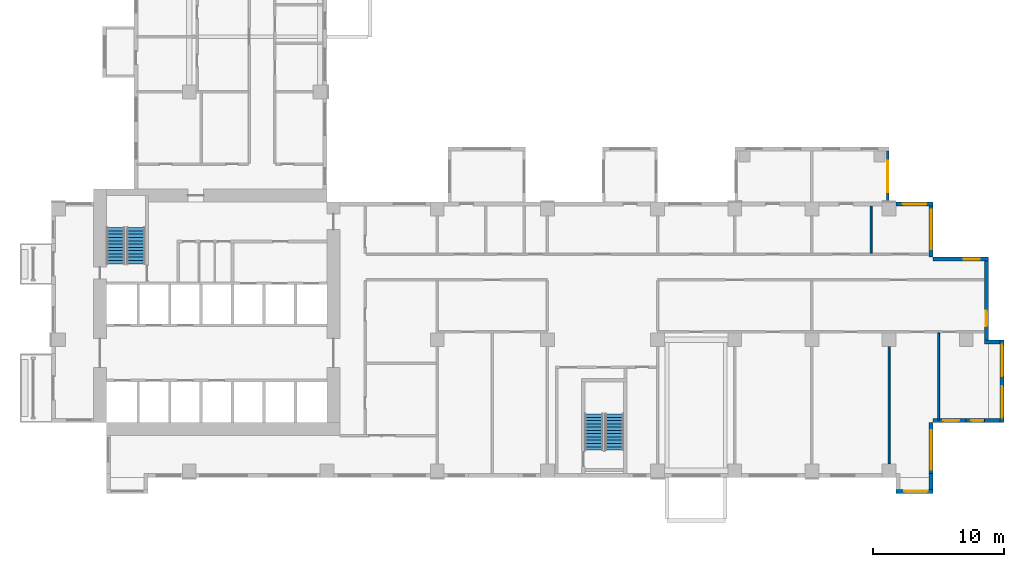
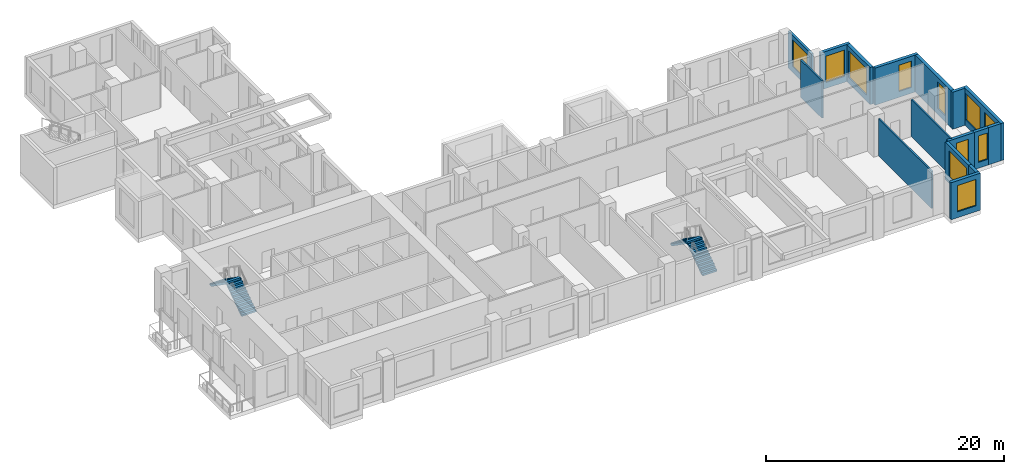
# One storey, part 8 of 14: 16 walls, 11 windows, 4 stair flights, 11 openings, 2 elements without a shape of their own.
"""IFC4 building model written with IfcOpenShell, lengths in metres."""

import ifcopenshell
import ifcopenshell.guid

model = None  # the IFC model being written
_history = None  # IfcOwnerHistory: only IFC2X3 demands one
_inside = {}  # id of a spatial element -> (the spatial element, [elements in it])
_under = {}  # id of a project, library or spatial element -> (it, [spatial elements below it])
_declared = {}  # id of a project -> (the project, [libraries it declares])
_typed = {}  # id of a type object -> (the type object, [elements of that type])
_made_of = {}  # id of a material, layer set ... -> (it, [elements and type objects made of it])


def new_model(schema):
    """Start an empty IFC model of exactly this schema.

    Asked for "IFC4X3", IfcOpenShell would pick the latest addendum, in which some entities
    have other attributes; the version numbers below select the first issue.
    IFC2X3 requires an IfcOwnerHistory on every rooted entity: one is made here for all.
    """
    global model, _history
    if schema == "IFC4X3":
        model = ifcopenshell.file(schema_version=(4, 3, 0, 0))
    else:
        model = ifcopenshell.file(schema=schema)
    _inside.clear()
    _under.clear()
    _declared.clear()
    _typed.clear()
    _made_of.clear()
    _history = None
    if model.schema == "IFC2X3":
        org = make("IfcOrganization", Name="unknown")
        user = make(
            "IfcPersonAndOrganization",
            ThePerson=make("IfcPerson", FamilyName="unknown"),
            TheOrganization=org,
        )
        app = make(
            "IfcApplication",
            ApplicationDeveloper=org,
            Version="unknown",
            ApplicationFullName="unknown",
            ApplicationIdentifier="unknown",
        )
        _history = make(
            "IfcOwnerHistory",
            OwningUser=user,
            OwningApplication=app,
            ChangeAction="ADDED",
            CreationDate=0,
        )
    return model


def make(cls, **values):
    """One entity of the class cls with the attributes given. An attribute that is None is left unset."""
    return model.create_entity(
        cls, **{name: value for name, value in values.items() if value is not None}
    )


def rooted(cls, **values):
    """An entity with a GlobalId (a new one), such as an element, a storey or a relation."""
    return make(cls, GlobalId=ifcopenshell.guid.new(), OwnerHistory=_history, **values)


def si_unit(unit_type, name, prefix=None):
    """IfcSIUnit, for example si_unit("LENGTHUNIT", "METRE", prefix="MILLI")."""
    return make("IfcSIUnit", UnitType=unit_type, Prefix=prefix, Name=name)


def assignment(units):
    """IfcUnitAssignment: the units of a project."""
    return None if units is None else make("IfcUnitAssignment", Units=units)


def point(xyz):
    """IfcCartesianPoint."""
    return None if xyz is None else make("IfcCartesianPoint", Coordinates=xyz)


def direction(xyz):
    """IfcDirection."""
    return None if xyz is None else make("IfcDirection", DirectionRatios=xyz)


def frame(location, z_axis=None, x_axis=None):
    """IfcAxis2Placement3D, a coordinate frame: its origin and axes. An axis left out is left unset."""
    return make(
        "IfcAxis2Placement3D",
        Location=point(location),
        Axis=direction(z_axis),
        RefDirection=direction(x_axis),
    )


def frame_2d(location, x_axis=None):
    """IfcAxis2Placement2D, a coordinate frame in the plane: its origin and x axis."""
    return make(
        "IfcAxis2Placement2D", Location=point(location), RefDirection=direction(x_axis)
    )


def origin():
    """The frame at (0, 0, 0) with its axes left unset."""
    return frame((0.0, 0.0, 0.0))


def place(relative_to, where):
    """IfcLocalPlacement: puts the frame where relative to a parent placement (None: the world)."""
    return make(
        "IfcLocalPlacement", PlacementRelTo=relative_to, RelativePlacement=where
    )


def context(
    kind, dimensions, precision=None, world=None, true_north=None, identifier=None
):
    """IfcGeometricRepresentationContext, for example the 3D "Model" context."""
    return make(
        "IfcGeometricRepresentationContext",
        ContextIdentifier=identifier,
        ContextType=kind,
        CoordinateSpaceDimension=dimensions,
        Precision=precision,
        WorldCoordinateSystem=world,
        TrueNorth=true_north,
    )


def subcontext(parent, identifier, kind, view, scale=None):
    """IfcGeometricRepresentationSubContext, for example "Body" below "Model"."""
    return make(
        "IfcGeometricRepresentationSubContext",
        ContextIdentifier=identifier,
        ContextType=kind,
        ParentContext=parent,
        TargetScale=scale,
        TargetView=view,
    )


def project(units=None, contexts=None):
    """IfcProject with its units and contexts."""
    return rooted(
        "IfcProject",
        Name="project",
        RepresentationContexts=contexts,
        UnitsInContext=assignment(units),
    )


def spatial(cls, under=None, at=None, **own):
    """A site, building, storey or space (cls), placed at a placement, below another one or the project."""
    s = rooted(cls, ObjectPlacement=at, **own)
    if under is not None:
        _under.setdefault(under.id(), (under, []))[1].append(s)
    return s


def polyline(points):
    """IfcPolyline through the points."""
    return make("IfcPolyline", Points=[point(p) for p in points])


def profile(cls, at=None, kind="AREA", **sizes):
    """A parametric profile (cls). Its sizes go by their IFC names, for example OverallWidth=200.0."""
    return make(cls, ProfileType=kind, Position=at, **sizes)


def rectangle(**sizes):
    """IfcRectangleProfileDef."""
    return profile("IfcRectangleProfileDef", **sizes)


def outline(outer, holes=None, kind="AREA"):
    """IfcArbitraryClosedProfileDef: a profile drawn as a closed curve; with holes, ...WithVoids."""
    if holes is None:
        return make("IfcArbitraryClosedProfileDef", ProfileType=kind, OuterCurve=outer)
    return make(
        "IfcArbitraryProfileDefWithVoids",
        ProfileType=kind,
        OuterCurve=outer,
        InnerCurves=holes,
    )


def extrude(swept, where, along, depth):
    """IfcExtrudedAreaSolid: the profile swept, set in the frame where, extruded along a direction by depth."""
    return make(
        "IfcExtrudedAreaSolid",
        SweptArea=swept,
        Position=where,
        ExtrudedDirection=direction(along),
        Depth=depth,
    )


def shape(context_of_items, identifier, shape_type, items):
    """IfcShapeRepresentation: the items that make up one representation, for example the "Body"."""
    return make(
        "IfcShapeRepresentation",
        ContextOfItems=context_of_items,
        RepresentationIdentifier=identifier,
        RepresentationType=shape_type,
        Items=items,
    )


def source(mapping_origin, context_of_items, identifier, shape_type, items):
    """IfcRepresentationMap: a shape defined once, which mapped items show again and again."""
    return make(
        "IfcRepresentationMap",
        MappingOrigin=mapping_origin,
        MappedRepresentation=shape(context_of_items, identifier, shape_type, items),
    )


def transform(
    local_origin,
    x_axis=None,
    y_axis=None,
    z_axis=None,
    scale=None,
    scale2=None,
    scale3=None,
    uniform=True,
):
    """IfcCartesianTransformationOperator3D, or its non-uniform kind. x_axis, y_axis, z_axis: its Axis1, 2, 3."""
    if uniform:
        return make(
            "IfcCartesianTransformationOperator3D",
            Axis1=direction(x_axis),
            Axis2=direction(y_axis),
            LocalOrigin=point(local_origin),
            Scale=scale,
            Axis3=direction(z_axis),
        )
    return make(
        "IfcCartesianTransformationOperator3DnonUniform",
        Axis1=direction(x_axis),
        Axis2=direction(y_axis),
        LocalOrigin=point(local_origin),
        Scale=scale,
        Axis3=direction(z_axis),
        Scale2=scale2,
        Scale3=scale3,
    )


def mapped(mapping_source, mapping_target):
    """IfcMappedItem: shows the shape of a source again, moved by a transform."""
    return make(
        "IfcMappedItem", MappingSource=mapping_source, MappingTarget=mapping_target
    )


def material(Name=None, Category=None):
    """IfcMaterial."""
    return make("IfcMaterial", Name=Name, Category=Category)


def layer(
    of_material, thickness, ventilated=None, Name=None, Category=None, Priority=None
):
    """IfcMaterialLayer: one layer of a wall or slab, of a material (None: an air gap)."""
    return make(
        "IfcMaterialLayer",
        Material=of_material,
        LayerThickness=thickness,
        IsVentilated=ventilated,
        Name=Name,
        Category=Category,
        Priority=Priority,
    )


def layer_set(layers, Name=None):
    """IfcMaterialLayerSet."""
    return make("IfcMaterialLayerSet", MaterialLayers=layers, LayerSetName=Name)


def made_of(thing, what):
    """Note that an element or type object is made of a material, layer set ...; save() writes the relation."""
    if what is not None:
        _made_of.setdefault(what.id(), (what, []))[1].append(thing)
    return thing


def type_object(cls, material=None, **own):
    """A type object (cls), such as IfcWallType, which elements share."""
    return made_of(rooted(cls, **own), material)


def element(
    cls,
    number,
    at=None,
    inside=None,
    cuts=None,
    type_object=None,
    material=None,
    context=None,
    identifier="Body",
    shape_type=None,
    held_by="IfcProductDefinitionShape",
    body=None,
    shapes=None,
    **own,
):
    """One element of the class cls, such as IfcWall. Its Tag is "e" and its number.

    at: its placement. inside: the storey or other place that contains it. cuts: it is an
    opening in that element (IfcRelVoidsElement). A single representation is given by context,
    identifier, shape_type and body (its items); several are given by shapes. held_by: the class
    of the entity that holds the representations. save() writes the other relations.
    """
    e = rooted(cls, Tag="e%d" % number, ObjectPlacement=at, **own)
    if body is not None:
        shapes = [shape(context, identifier, shape_type, body)]
    if shapes is not None:
        e.Representation = make(held_by, Representations=shapes)
    if inside is not None:
        _inside.setdefault(inside.id(), (inside, []))[1].append(e)
    if cuts is not None:
        rooted(
            "IfcRelVoidsElement", RelatingBuildingElement=cuts, RelatedOpeningElement=e
        )
    if type_object is not None:
        _typed.setdefault(type_object.id(), (type_object, []))[1].append(e)
    return made_of(e, material)


def fill(opening, filler):
    """IfcRelFillsElement: the door or window that sits in an opening."""
    return rooted(
        "IfcRelFillsElement",
        RelatingOpeningElement=opening,
        RelatedBuildingElement=filler,
    )


def aggregate(whole, parts):
    """IfcRelAggregates: a whole, such as a stair, and the parts it consists of."""
    return rooted("IfcRelAggregates", RelatingObject=whole, RelatedObjects=parts)


def save(model, path):
    """Write the relations noted so far, then the file.

    IfcRelAggregates (storeys below a building ...), IfcRelContainedInSpatialStructure (elements
    in a storey), IfcRelDefinesByType, IfcRelAssociatesMaterial and IfcRelDeclares: one each for
    every whole, place, type object, material and project.
    """
    for whole, parts in _under.values():
        aggregate(whole, parts)
    for where, things in _inside.values():
        rooted(
            "IfcRelContainedInSpatialStructure",
            RelatedElements=things,
            RelatingStructure=where,
        )
    for kind, things in _typed.values():
        rooted("IfcRelDefinesByType", RelatedObjects=things, RelatingType=kind)
    for what, things in _made_of.values():
        rooted("IfcRelAssociatesMaterial", RelatedObjects=things, RelatingMaterial=what)
    for by, libraries in _declared.values():
        rooted("IfcRelDeclares", RelatingContext=by, RelatedDefinitions=libraries)
    model.write(path)


model = new_model("IFC4")

# Units and contexts
model_context = context("Model", 3, precision=1e-05, world=origin(), true_north=direction((0.0, 1.0)))
body_context = subcontext(model_context, "Body", "Model", "MODEL_VIEW")
ifc_project = project(units=[si_unit("LENGTHUNIT", "METRE"), si_unit("AREAUNIT", "SQUARE_METRE"), si_unit("VOLUMEUNIT", "CUBIC_METRE"), si_unit("PLANEANGLEUNIT", "RADIAN"), si_unit("MASSUNIT", "GRAM", prefix="KILO")], contexts=[model_context])

# Site, building, storey
site_placement = place(None, origin())
site = spatial("IfcSite", under=ifc_project, at=site_placement, CompositionType="ELEMENT")
building_placement = place(site_placement, origin())
building = spatial("IfcBuilding", under=site, at=building_placement, Name="Aurelian Terraces", CompositionType="ELEMENT")
storey_placement = place(building_placement, frame((0.0, 0.0, 141.3)))
storey = spatial("IfcBuildingStorey", under=building, at=storey_placement, Name="L31", CompositionType="ELEMENT", Elevation=141.3)

# Wall, opening, window
ifc_material_1 = material(Name="Terracotta rainscreen cladding", Category="masonry")
ifc_layer_1 = layer(ifc_material_1, 0.3)
ifc_layer_set_1 = layer_set([ifc_layer_1], Name="EW-300")
wall_type_1 = type_object("IfcWallType", Name="EW-300", PredefinedType="STANDARD", material=ifc_layer_set_1)
shared_shape_1 = source(origin(), body_context, "Body", "SweptSolid", [
    extrude(rectangle(XDim=4.2, YDim=0.3, at=frame_2d((2.1, 0.0))), origin(), (0.0, 0.0, 1.0), 3.8),
])
wall_1_placement = place(storey_placement, frame((67.05, 0.0, 0.0), z_axis=(0.0, 0.0, 1.0), x_axis=(0.0, 1.0, 0.0)))
wall_1 = element("IfcWall", 1, at=wall_1_placement, inside=storey, type_object=wall_type_1, Name="External wall L31 F02.11", PredefinedType="STANDARD", context=body_context, shape_type="MappedRepresentation", body=[
    mapped(shared_shape_1, transform((0.0, 0.0, 0.0), scale=1.0)),
])
shared_shape_2 = source(origin(), body_context, "Body", "SweptSolid", [
    extrude(rectangle(XDim=3.0, YDim=2.7, at=frame_2d((1.5, 1.35))), frame((0.0, 0.16, 0.0), z_axis=(0.0, -1.0, 0.0), x_axis=(1.0, 0.0, 0.0)), (0.0, 0.0, 1.0), 0.32),
])
opening_1_placement = place(wall_1_placement, frame((0.6, 0.0, 0.6)))
opening_1 = element("IfcOpeningElement", 2, at=opening_1_placement, cuts=wall_1, Name="Opening W3027", PredefinedType="OPENING", context=body_context, shape_type="MappedRepresentation", body=[
    mapped(shared_shape_2, transform((0.0, 0.0, 0.0), scale=1.0)),
])
ifc_material_2 = material(Name="Clear glazing", Category="glass")
window_type_1 = type_object("IfcWindowType", Name="W-3000x2700", PartitioningType="SINGLE_PANEL", PredefinedType="WINDOW", material=ifc_material_2)
shared_shape_3 = source(origin(), body_context, "Body", "SweptSolid", [
    extrude(rectangle(XDim=3.0, YDim=2.7, at=frame_2d((1.5, 1.35))), frame((0.0, 0.03, 0.0), z_axis=(0.0, -1.0, 0.0), x_axis=(1.0, 0.0, 0.0)), (0.0, 0.0, 1.0), 0.06),
])
window_1_placement = place(opening_1_placement, origin())
window_1 = element("IfcWindow", 3, at=window_1_placement, inside=storey, type_object=window_type_1, Name="Window L31 L31-F02-11-0", OverallHeight=2.7, OverallWidth=3.0, PartitioningType="SINGLE_PANEL", PredefinedType="WINDOW", context=body_context, shape_type="MappedRepresentation", body=[
    mapped(shared_shape_3, transform((0.0, 0.0, 0.0), scale=1.0)),
])
fill(opening_1, window_1)

wall_2_placement = place(storey_placement, frame((71.4, 16.65, 0.0), z_axis=(0.0, 0.0, 1.0), x_axis=(-1.0, 0.0, 0.0)))
wall_2 = element("IfcWall", 4, at=wall_2_placement, inside=storey, type_object=wall_type_1, Name="External wall L31 F05.16", PredefinedType="STANDARD", context=body_context, shape_type="MappedRepresentation", body=[
    mapped(shared_shape_1, transform((0.0, 0.0, 0.0), scale=1.0)),
])
shared_shape_4 = source(origin(), body_context, "Body", "SweptSolid", [
    extrude(rectangle(XDim=1.2, YDim=2.7, at=frame_2d((0.6, 1.35))), frame((0.0, 0.16, 0.0), z_axis=(0.0, -1.0, 0.0), x_axis=(1.0, 0.0, 0.0)), (0.0, 0.0, 1.0), 0.32),
])
opening_2_placement = place(wall_2_placement, frame((0.66, 0.0, 0.6)))
opening_2 = element("IfcOpeningElement", 5, at=opening_2_placement, cuts=wall_2, Name="Opening W1227", PredefinedType="OPENING", context=body_context, shape_type="MappedRepresentation", body=[
    mapped(shared_shape_4, transform((0.0, 0.0, 0.0), scale=1.0)),
])
window_type_2 = type_object("IfcWindowType", Name="W-1200x2700", PartitioningType="SINGLE_PANEL", PredefinedType="WINDOW", material=ifc_material_2)
shared_shape_5 = source(origin(), body_context, "Body", "SweptSolid", [
    extrude(rectangle(XDim=1.2, YDim=2.7, at=frame_2d((0.6, 1.35))), frame((0.0, 0.03, 0.0), z_axis=(0.0, -1.0, 0.0), x_axis=(1.0, 0.0, 0.0)), (0.0, 0.0, 1.0), 0.06),
])
window_2_placement = place(opening_2_placement, origin())
window_2 = element("IfcWindow", 6, at=window_2_placement, inside=storey, type_object=window_type_2, Name="Window L31 L31-F05-16-0", OverallHeight=2.7, OverallWidth=1.2, PartitioningType="SINGLE_PANEL", PredefinedType="WINDOW", context=body_context, shape_type="MappedRepresentation", body=[
    mapped(shared_shape_5, transform((0.0, 0.0, 0.0), scale=1.0)),
])
fill(opening_2, window_2)

wall_3_placement = place(storey_placement, frame((67.05, 16.8, 0.0), z_axis=(0.0, 0.0, 1.0), x_axis=(0.0, 1.0, 0.0)))
wall_3 = element("IfcWall", 7, at=wall_3_placement, inside=storey, type_object=wall_type_1, Name="External wall L31 F06.17", PredefinedType="STANDARD", context=body_context, shape_type="MappedRepresentation", body=[
    mapped(shared_shape_1, transform((0.0, 0.0, 0.0), scale=1.0)),
])
opening_3_placement = place(wall_3_placement, frame((0.6, 0.0, 0.6)))
opening_3 = element("IfcOpeningElement", 8, at=opening_3_placement, cuts=wall_3, Name="Opening W3027", PredefinedType="OPENING", context=body_context, shape_type="MappedRepresentation", body=[
    mapped(shared_shape_2, transform((0.0, 0.0, 0.0), scale=1.0)),
])
window_3_placement = place(opening_3_placement, origin())
window_3 = element("IfcWindow", 9, at=window_3_placement, inside=storey, type_object=window_type_1, Name="Window L31 L31-F06-17-0", OverallHeight=2.7, OverallWidth=3.0, PartitioningType="SINGLE_PANEL", PredefinedType="WINDOW", context=body_context, shape_type="MappedRepresentation", body=[
    mapped(shared_shape_3, transform((0.0, 0.0, 0.0), scale=1.0)),
])
fill(opening_3, window_3)

# Walls
shared_shape_6 = source(origin(), body_context, "Body", "SweptSolid", [
    extrude(rectangle(XDim=1.2, YDim=0.3, at=frame_2d((0.6, 0.0))), origin(), (0.0, 0.0, 1.0), 3.8),
])
for number, where, z_axis, x_axis, name in (
    (10, (67.05, 0.3, 0.0), (0.0, 0.0, 1.0), (0.0, -1.0, 0.0), "Bay return L31 F01.10.2"),
    (11, (71.1, 4.35, 0.0), (0.0, 0.0, 1.0), (1.0, 0.0, 0.0), "Bay return L31 F04.14.1"),
    (12, (71.1, 10.35, 0.0), (0.0, 0.0, 1.0), (1.0, 0.0, 0.0), "Bay return L31 F04.14.2"),
):
    element("IfcWall", number, at=place(storey_placement, frame(where, z_axis=z_axis, x_axis=x_axis)), inside=storey, type_object=wall_type_1, Name=name, PredefinedType="STANDARD", context=body_context, shape_type="MappedRepresentation", body=[
        mapped(shared_shape_6, transform((0.0, 0.0, 0.0), scale=1.0)),
    ])

# Wall, opening, window
shared_shape_7 = source(origin(), body_context, "Body", "SweptSolid", [
    extrude(rectangle(XDim=2.52, YDim=0.3, at=frame_2d((1.26, 0.0))), origin(), (0.0, 0.0, 1.0), 3.8),
])
wall_4_placement = place(storey_placement, frame((67.2, 4.35, 0.0), z_axis=(0.0, 0.0, 1.0), x_axis=(1.0, 0.0, 0.0)))
wall_4 = element("IfcWall", 13, at=wall_4_placement, inside=storey, type_object=wall_type_1, Name="External wall L31 F03.12", PredefinedType="STANDARD", context=body_context, shape_type="MappedRepresentation", body=[
    mapped(shared_shape_7, transform((0.0, 0.0, 0.0), scale=1.0)),
])
opening_4_placement = place(wall_4_placement, frame((0.7775, 0.0, 0.6)))
opening_4 = element("IfcOpeningElement", 14, at=opening_4_placement, cuts=wall_4, Name="Opening W1227", PredefinedType="OPENING", context=body_context, shape_type="MappedRepresentation", body=[
    mapped(shared_shape_4, transform((0.0, 0.0, 0.0), scale=1.0)),
])
window_4_placement = place(opening_4_placement, origin())
window_4 = element("IfcWindow", 15, at=window_4_placement, inside=storey, type_object=window_type_2, Name="Window L31 L31-F03-12-P0", OverallHeight=2.7, OverallWidth=1.2, PartitioningType="SINGLE_PANEL", PredefinedType="WINDOW", context=body_context, shape_type="MappedRepresentation", body=[
    mapped(shared_shape_5, transform((0.0, 0.0, 0.0), scale=1.0)),
])
fill(opening_4, window_4)

shared_shape_8 = source(origin(), body_context, "Body", "SweptSolid", [
    extrude(rectangle(XDim=1.68, YDim=0.3, at=frame_2d((0.84, 0.0))), origin(), (0.0, 0.0, 1.0), 3.8),
])
wall_5_placement = place(storey_placement, frame((69.72, 4.35, 0.0), z_axis=(0.0, 0.0, 1.0), x_axis=(1.0, 0.0, 0.0)))
wall_5 = element("IfcWall", 16, at=wall_5_placement, inside=storey, type_object=wall_type_1, Name="External wall L31 F03.13", PredefinedType="STANDARD", context=body_context, shape_type="MappedRepresentation", body=[
    mapped(shared_shape_8, transform((0.0, 0.0, 0.0), scale=1.0)),
])
shared_shape_9 = source(origin(), body_context, "Body", "SweptSolid", [
    extrude(rectangle(XDim=0.9, YDim=2.7, at=frame_2d((0.45, 1.35))), frame((0.0, 0.16, 0.0), z_axis=(0.0, -1.0, 0.0), x_axis=(1.0, 0.0, 0.0)), (0.0, 0.0, 1.0), 0.32),
])
opening_5_placement = place(wall_5_placement, frame((0.39, 0.0, 0.6)))
opening_5 = element("IfcOpeningElement", 17, at=opening_5_placement, cuts=wall_5, Name="Opening W0927", PredefinedType="OPENING", context=body_context, shape_type="MappedRepresentation", body=[
    mapped(shared_shape_9, transform((0.0, 0.0, 0.0), scale=1.0)),
])
window_type_3 = type_object("IfcWindowType", Name="W-900x2700", PartitioningType="SINGLE_PANEL", PredefinedType="WINDOW", material=ifc_material_2)
shared_shape_10 = source(origin(), body_context, "Body", "SweptSolid", [
    extrude(rectangle(XDim=0.9, YDim=2.7, at=frame_2d((0.45, 1.35))), frame((0.0, 0.03, 0.0), z_axis=(0.0, -1.0, 0.0), x_axis=(1.0, 0.0, 0.0)), (0.0, 0.0, 1.0), 0.06),
])
window_5_placement = place(opening_5_placement, origin())
window_5 = element("IfcWindow", 18, at=window_5_placement, inside=storey, type_object=window_type_3, Name="Window L31 L31-F03-13-P0", OverallHeight=2.7, OverallWidth=0.9, PartitioningType="SINGLE_PANEL", PredefinedType="WINDOW", context=body_context, shape_type="MappedRepresentation", body=[
    mapped(shared_shape_10, transform((0.0, 0.0, 0.0), scale=1.0)),
])
fill(opening_5, window_5)

# Wall, openings, windows
shared_shape_11 = source(origin(), body_context, "Body", "SweptSolid", [
    extrude(rectangle(XDim=6.3, YDim=0.3, at=frame_2d((3.15, 0.0))), origin(), (0.0, 0.0, 1.0), 3.8),
])
wall_6_placement = place(storey_placement, frame((72.45, 4.2, 0.0), z_axis=(0.0, 0.0, 1.0), x_axis=(0.0, 1.0, 0.0)))
wall_6 = element("IfcWall", 19, at=wall_6_placement, inside=storey, type_object=wall_type_1, Name="Bay wall L31 F04.14", PredefinedType="STANDARD", context=body_context, shape_type="MappedRepresentation", body=[
    mapped(shared_shape_11, transform((0.0, 0.0, 0.0), scale=1.0)),
])
shared_shape_12 = source(origin(), body_context, "Body", "SweptSolid", [
    extrude(rectangle(XDim=2.4, YDim=2.7, at=frame_2d((1.2, 1.35))), frame((0.0, 0.16, 0.0), z_axis=(0.0, -1.0, 0.0), x_axis=(1.0, 0.0, 0.0)), (0.0, 0.0, 1.0), 0.32),
])
opening_6_placement = place(wall_6_placement, frame((0.375, 0.0, 0.6)))
opening_6 = element("IfcOpeningElement", 20, at=opening_6_placement, cuts=wall_6, Name="Opening W2427", PredefinedType="OPENING", context=body_context, shape_type="MappedRepresentation", body=[
    mapped(shared_shape_12, transform((0.0, 0.0, 0.0), scale=1.0)),
])
opening_7_placement = place(wall_6_placement, frame((3.525, 0.0, 0.6)))
opening_7 = element("IfcOpeningElement", 21, at=opening_7_placement, cuts=wall_6, Name="Opening W2427", PredefinedType="OPENING", context=body_context, shape_type="MappedRepresentation", body=[
    mapped(shared_shape_12, transform((0.0, 0.0, 0.0), scale=1.0)),
])
window_type_4 = type_object("IfcWindowType", Name="W-2400x2700", PartitioningType="SINGLE_PANEL", PredefinedType="WINDOW", material=ifc_material_2)
shared_shape_13 = source(origin(), body_context, "Body", "SweptSolid", [
    extrude(rectangle(XDim=2.4, YDim=2.7, at=frame_2d((1.2, 1.35))), frame((0.0, 0.03, 0.0), z_axis=(0.0, -1.0, 0.0), x_axis=(1.0, 0.0, 0.0)), (0.0, 0.0, 1.0), 0.06),
])
window_6_placement = place(opening_6_placement, origin())
window_6 = element("IfcWindow", 22, at=window_6_placement, inside=storey, type_object=window_type_4, Name="Window L31 L31-F04-14-0", OverallHeight=2.7, OverallWidth=2.4, PartitioningType="SINGLE_PANEL", PredefinedType="WINDOW", context=body_context, shape_type="MappedRepresentation", body=[
    mapped(shared_shape_13, transform((0.0, 0.0, 0.0), scale=1.0)),
])
fill(opening_6, window_6)
window_7_placement = place(opening_7_placement, origin())
window_7 = element("IfcWindow", 23, at=window_7_placement, inside=storey, type_object=window_type_4, Name="Window L31 L31-F04-14-1", OverallHeight=2.7, OverallWidth=2.4, PartitioningType="SINGLE_PANEL", PredefinedType="WINDOW", context=body_context, shape_type="MappedRepresentation", body=[
    mapped(shared_shape_13, transform((0.0, 0.0, 0.0), scale=1.0)),
])
fill(opening_7, window_7)

# Wall, opening, window
wall_7_placement = place(storey_placement, frame((71.25, 10.5, 0.0), z_axis=(0.0, 0.0, 1.0), x_axis=(0.0, 1.0, 0.0)))
wall_7 = element("IfcWall", 24, at=wall_7_placement, inside=storey, type_object=wall_type_1, Name="External wall L31 F04.15", PredefinedType="STANDARD", context=body_context, shape_type="MappedRepresentation", body=[
    mapped(shared_shape_11, transform((0.0, 0.0, 0.0), scale=1.0)),
])
opening_8_placement = place(wall_7_placement, frame((1.025, 0.0, 0.6)))
opening_8 = element("IfcOpeningElement", 25, at=opening_8_placement, cuts=wall_7, Name="Opening W1227", PredefinedType="OPENING", context=body_context, shape_type="MappedRepresentation", body=[
    mapped(shared_shape_4, transform((0.0, 0.0, 0.0), scale=1.0)),
])
window_8_placement = place(opening_8_placement, origin())
window_8 = element("IfcWindow", 26, at=window_8_placement, inside=storey, type_object=window_type_2, Name="Window L31 L31-F04-15-0", OverallHeight=2.7, OverallWidth=1.2, PartitioningType="SINGLE_PANEL", PredefinedType="WINDOW", context=body_context, shape_type="MappedRepresentation", body=[
    mapped(shared_shape_5, transform((0.0, 0.0, 0.0), scale=1.0)),
])
fill(opening_8, window_8)

ifc_material_3 = material(Name="Concrete fc' 40 MPa", Category="concrete")
ifc_layer_2 = layer(ifc_material_3, 0.2)
ifc_layer_set_2 = layer_set([ifc_layer_2], Name="BOX BEARING WALL 200")
wall_type_2 = type_object("IfcWallType", Name="BOX BEARING WALL 200", PredefinedType="SOLIDWALL", material=ifc_layer_set_2)
shared_shape_14 = source(origin(), body_context, "Body", "SweptSolid", [
    extrude(rectangle(XDim=3.9, YDim=0.2, at=frame_2d((1.95, 0.0))), origin(), (0.0, 0.0, 1.0), 3.79),
])
wall_8_placement = place(storey_placement, frame((63.74, 21.0, 0.0), z_axis=(0.0, 0.0, 1.0), x_axis=(0.0, 1.0, 0.0)))
wall_8 = element("IfcWall", 27, at=wall_8_placement, inside=storey, type_object=wall_type_2, Name="Box return L31 K02.1", PredefinedType="SOLIDWALL", context=body_context, shape_type="MappedRepresentation", body=[
    mapped(shared_shape_14, transform((0.0, 0.0, 0.0), scale=1.0)),
])
shared_shape_15 = source(origin(), body_context, "Body", "SweptSolid", [
    extrude(rectangle(XDim=2.4, YDim=2.7, at=frame_2d((1.2, 1.35))), frame((0.0, 0.11, 0.0), z_axis=(0.0, -1.0, 0.0), x_axis=(1.0, 0.0, 0.0)), (0.0, 0.0, 1.0), 0.22),
])
opening_9_placement = place(wall_8_placement, frame((0.75, 0.0, 0.6)))
opening_9 = element("IfcOpeningElement", 28, at=opening_9_placement, cuts=wall_8, Name="Opening W2427", PredefinedType="OPENING", context=body_context, shape_type="MappedRepresentation", body=[
    mapped(shared_shape_15, transform((0.0, 0.0, 0.0), scale=1.0)),
])
window_9_placement = place(opening_9_placement, origin())
window_9 = element("IfcWindow", 29, at=window_9_placement, inside=storey, type_object=window_type_4, Name="Window L31 K02-S1", OverallHeight=2.7, OverallWidth=2.4, PartitioningType="SINGLE_PANEL", PredefinedType="WINDOW", context=body_context, shape_type="MappedRepresentation", body=[
    mapped(shared_shape_13, transform((0.0, 0.0, 0.0), scale=1.0)),
])
fill(opening_9, window_9)

shared_shape_16 = source(origin(), body_context, "Body", "SweptSolid", [
    extrude(rectangle(XDim=2.835, YDim=0.3, at=frame_2d((1.4175, 0.0))), origin(), (0.0, 0.0, 1.0), 3.8),
])
wall_9_placement = place(storey_placement, frame((64.365, -1.05, 0.0), z_axis=(0.0, 0.0, 1.0), x_axis=(1.0, 0.0, 0.0)))
wall_9 = element("IfcWall", 30, at=wall_9_placement, inside=storey, type_object=wall_type_1, Name="Bay wall L31 F01.10", PredefinedType="STANDARD", context=body_context, shape_type="MappedRepresentation", body=[
    mapped(shared_shape_16, transform((0.0, 0.0, 0.0), scale=1.0)),
])
shared_shape_17 = source(origin(), body_context, "Body", "SweptSolid", [
    extrude(rectangle(XDim=1.8, YDim=2.7, at=frame_2d((0.9, 1.35))), frame((0.0, 0.16, 0.0), z_axis=(0.0, -1.0, 0.0), x_axis=(1.0, 0.0, 0.0)), (0.0, 0.0, 1.0), 0.32),
])
opening_10_placement = place(wall_9_placement, frame((0.6175, 0.0, 0.6)))
opening_10 = element("IfcOpeningElement", 31, at=opening_10_placement, cuts=wall_9, Name="Opening W1827", PredefinedType="OPENING", context=body_context, shape_type="MappedRepresentation", body=[
    mapped(shared_shape_17, transform((0.0, 0.0, 0.0), scale=1.0)),
])
window_type_5 = type_object("IfcWindowType", Name="W-1800x2700", PartitioningType="SINGLE_PANEL", PredefinedType="WINDOW", material=ifc_material_2)
shared_shape_18 = source(origin(), body_context, "Body", "SweptSolid", [
    extrude(rectangle(XDim=1.8, YDim=2.7, at=frame_2d((0.9, 1.35))), frame((0.0, 0.03, 0.0), z_axis=(0.0, -1.0, 0.0), x_axis=(1.0, 0.0, 0.0)), (0.0, 0.0, 1.0), 0.06),
])
window_10_placement = place(opening_10_placement, origin())
window_10 = element("IfcWindow", 32, at=window_10_placement, inside=storey, type_object=window_type_5, Name="Window L31 L31-F01-10-0", OverallHeight=2.7, OverallWidth=1.8, PartitioningType="SINGLE_PANEL", PredefinedType="WINDOW", context=body_context, shape_type="MappedRepresentation", body=[
    mapped(shared_shape_18, transform((0.0, 0.0, 0.0), scale=1.0)),
])
fill(opening_10, window_10)

wall_10_placement = place(storey_placement, frame((67.2, 20.85, 0.0), z_axis=(0.0, 0.0, 1.0), x_axis=(-1.0, 0.0, 0.0)))
wall_10 = element("IfcWall", 33, at=wall_10_placement, inside=storey, type_object=wall_type_1, Name="External wall L31 F07.18", PredefinedType="STANDARD", context=body_context, shape_type="MappedRepresentation", body=[
    mapped(shared_shape_16, transform((0.0, 0.0, 0.0), scale=1.0)),
])
opening_11_placement = place(wall_10_placement, frame((0.5175, 0.0, 0.6)))
opening_11 = element("IfcOpeningElement", 34, at=opening_11_placement, cuts=wall_10, Name="Opening W1827", PredefinedType="OPENING", context=body_context, shape_type="MappedRepresentation", body=[
    mapped(shared_shape_17, transform((0.0, 0.0, 0.0), scale=1.0)),
])
window_11_placement = place(opening_11_placement, origin())
window_11 = element("IfcWindow", 35, at=window_11_placement, inside=storey, type_object=window_type_5, Name="Window L31 L31-F07-18-P0", OverallHeight=2.7, OverallWidth=1.8, PartitioningType="SINGLE_PANEL", PredefinedType="WINDOW", context=body_context, shape_type="MappedRepresentation", body=[
    mapped(shared_shape_18, transform((0.0, 0.0, 0.0), scale=1.0)),
])
fill(opening_11, window_11)

# Walls
ifc_material_4 = material(Name="Gypsum board on steel studs", Category="steel")
ifc_layer_3 = layer(ifc_material_4, 0.15)
ifc_layer_set_3 = layer_set([ifc_layer_3], Name="Partition 150")
wall_type_3 = type_object("IfcWallType", Name="Partition 150", PredefinedType="PARTITIONING", material=ifc_layer_set_3)
shared_shape_19 = source(origin(), body_context, "Body", "SweptSolid", [
    extrude(rectangle(XDim=3.6, YDim=0.15, at=frame_2d((1.8, 0.0))), origin(), (0.0, 0.0, 1.0), 3.8),
])
wall_11_placement = place(storey_placement, frame((62.4675, 20.7, 0.0), z_axis=(0.0, 0.0, 1.0), x_axis=(0.0, -1.0, 0.0)))
element("IfcWall", 36, at=wall_11_placement, inside=storey, type_object=wall_type_3, Name="Partition", PredefinedType="PARTITIONING", context=body_context, shape_type="MappedRepresentation", body=[
    mapped(shared_shape_19, transform((0.0, 0.0, 0.0), scale=1.0)),
])
shared_shape_20 = source(origin(), body_context, "Body", "SweptSolid", [
    extrude(rectangle(XDim=8.927, YDim=0.15, at=frame_2d((4.4635, 0.0))), origin(), (0.0, 0.0, 1.0), 3.8),
])
wall_12_placement = place(storey_placement, frame((63.84, 1.049, 0.0), z_axis=(0.0, 0.0, 1.0), x_axis=(0.0, 1.0, 0.0)))
element("IfcWall", 37, at=wall_12_placement, inside=storey, type_object=wall_type_3, Name="Partition", PredefinedType="PARTITIONING", context=body_context, shape_type="MappedRepresentation", body=[
    mapped(shared_shape_20, transform((0.0, 0.0, 0.0), scale=1.0)),
])
shared_shape_21 = source(origin(), body_context, "Body", "SweptSolid", [
    extrude(rectangle(XDim=6.62, YDim=0.15, at=frame_2d((3.31, 0.0))), origin(), (0.0, 0.0, 1.0), 3.8),
])
wall_13_placement = place(storey_placement, frame((67.62, 4.405, 0.0), z_axis=(0.0, 0.0, 1.0), x_axis=(0.0, 1.0, 0.0)))
element("IfcWall", 38, at=wall_13_placement, inside=storey, type_object=wall_type_3, Name="Partition", PredefinedType="PARTITIONING", context=body_context, shape_type="MappedRepresentation", body=[
    mapped(shared_shape_21, transform((0.0, 0.0, 0.0), scale=1.0)),
])

# Stair, stair flights
stair_type = type_object("IfcStairType", Name="Stair 1400", PredefinedType="HALF_TURN_STAIR", material=ifc_material_3)
stair_1_placement = place(storey_placement, origin())
stair_1 = element("IfcStair", 39, at=stair_1_placement, inside=storey, type_object=stair_type, Name="L31 S1", PredefinedType="HALF_TURN_STAIR")
stair_flight_type = type_object("IfcStairFlightType", Name="Stair flight 1400", PredefinedType="STRAIGHT", material=ifc_material_3)
shared_shape_22 = source(origin(), body_context, "Body", "SweptSolid", [
    extrude(outline(polyline([(0.0, 0.0), (0.0, 0.175), (0.25, 0.175), (0.25, 0.35), (0.5, 0.35), (0.5, 0.525), (0.75, 0.525), (0.75, 0.7), (1.0, 0.7), (1.0, 0.875), (1.25, 0.875), (1.25, 1.05), (1.5, 1.05), (1.5, 1.225), (1.75, 1.225), (1.75, 1.4), (2.0, 1.4), (2.0, 1.575), (2.25, 1.575), (2.25, 1.75), (2.5, 1.75), (2.5, 1.925), (2.75, 1.925), (2.75, 2.1), (2.75, 1.7419), (0.2616, 0.0), (0.0, 0.0)])), frame((0.0, 0.7, 0.0), z_axis=(0.0, -1.0, 0.0), x_axis=(1.0, 0.0, 0.0)), (0.0, 0.0, 1.0), 1.4),
])
stair_flight_1_placement = place(storey_placement, frame((6.45, 16.3, 2e-08), z_axis=(0.0, 0.0, 1.0), x_axis=(0.0, 1.0, 0.0)))
stair_flight_1 = element("IfcStairFlight", 40, at=stair_flight_1_placement, type_object=stair_flight_type, Name="S1 flight 1", NumberOfRisers=12, NumberOfTreads=11, PredefinedType="STRAIGHT", RiserHeight=0.175, TreadLength=0.25, context=body_context, shape_type="MappedRepresentation", body=[
    mapped(shared_shape_22, transform((0.0, 0.0, 0.0), scale=1.0)),
])
stair_flight_2_placement = place(storey_placement, frame((4.9, 19.05, 2.100000019999994), z_axis=(0.0, 0.0, 1.0), x_axis=(0.0, -1.0, 0.0)))
stair_flight_2 = element("IfcStairFlight", 41, at=stair_flight_2_placement, type_object=stair_flight_type, Name="S1 flight 2", NumberOfRisers=12, NumberOfTreads=11, PredefinedType="STRAIGHT", RiserHeight=0.175, TreadLength=0.25, context=body_context, shape_type="MappedRepresentation", body=[
    mapped(shared_shape_22, transform((0.0, 0.0, 0.0), scale=1.0)),
])
aggregate(stair_1, [stair_flight_1, stair_flight_2])

stair_2_placement = place(storey_placement, origin())
stair_2 = element("IfcStair", 42, at=stair_2_placement, inside=storey, type_object=stair_type, Name="L31 S2", PredefinedType="HALF_TURN_STAIR")
stair_flight_3_placement = place(storey_placement, frame((42.9, 2.1, 2e-08), z_axis=(0.0, 0.0, 1.0), x_axis=(0.0, 1.0, 0.0)))
stair_flight_3 = element("IfcStairFlight", 43, at=stair_flight_3_placement, type_object=stair_flight_type, Name="S2 flight 1", NumberOfRisers=12, NumberOfTreads=11, PredefinedType="STRAIGHT", RiserHeight=0.175, TreadLength=0.25, context=body_context, shape_type="MappedRepresentation", body=[
    mapped(shared_shape_22, transform((0.0, 0.0, 0.0), scale=1.0)),
])
stair_flight_4_placement = place(storey_placement, frame((41.35, 4.85, 2.100000019999994), z_axis=(0.0, 0.0, 1.0), x_axis=(0.0, -1.0, 0.0)))
stair_flight_4 = element("IfcStairFlight", 44, at=stair_flight_4_placement, type_object=stair_flight_type, Name="S2 flight 2", NumberOfRisers=12, NumberOfTreads=11, PredefinedType="STRAIGHT", RiserHeight=0.175, TreadLength=0.25, context=body_context, shape_type="MappedRepresentation", body=[
    mapped(shared_shape_22, transform((0.0, 0.0, 0.0), scale=1.0)),
])
aggregate(stair_2, [stair_flight_3, stair_flight_4])

save(model, "model.ifc")
